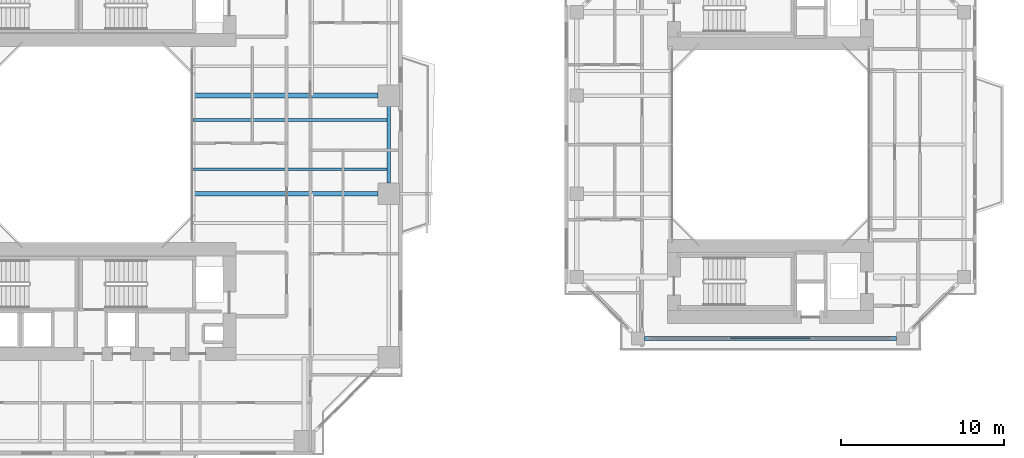
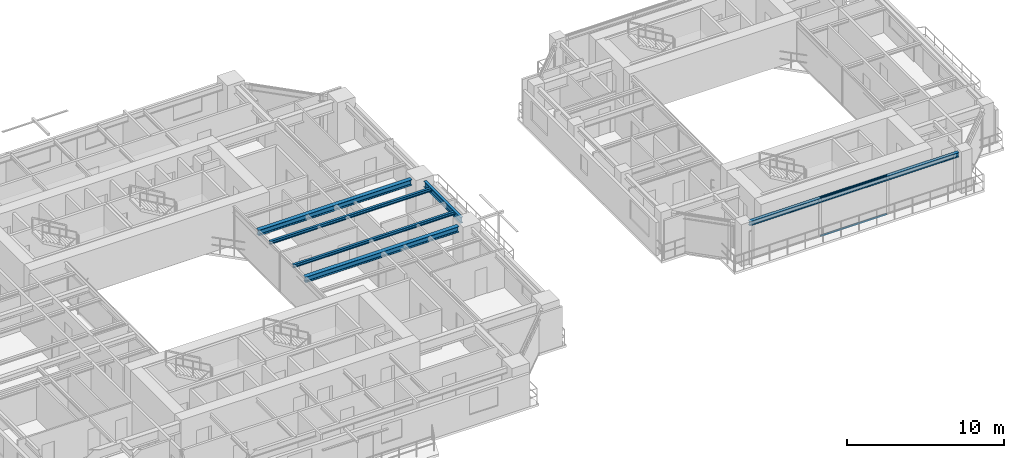
# One storey, part 6 of 23: 6 beams, 2 members, 1 element without a shape of its own.
"""IFC4 building model written with IfcOpenShell, lengths in metres."""

from ifc_helpers import new_model, si_unit, direction, frame, origin, origin_2d, place, context, subcontext, project, spatial, rectangle, i_section, extrude, source, transform, mapped, material, layer, layer_set, material_profile, profile_set, type_object, element, aggregate, save


model = new_model("IFC4")

# Units and contexts
model_context = context("Model", 3, precision=1e-05, world=origin(), true_north=direction((0.0, 1.0)))
body_context = subcontext(model_context, "Body", "Model", "MODEL_VIEW")
ifc_project = project(units=[si_unit("LENGTHUNIT", "METRE"), si_unit("AREAUNIT", "SQUARE_METRE"), si_unit("VOLUMEUNIT", "CUBIC_METRE"), si_unit("PLANEANGLEUNIT", "RADIAN"), si_unit("MASSUNIT", "GRAM", prefix="KILO"), si_unit("THERMODYNAMICTEMPERATUREUNIT", "KELVIN"), si_unit("POWERUNIT", "WATT")], contexts=[model_context])

# Site, building, storey
site_placement = place(None, origin())
site = spatial("IfcSite", under=ifc_project, at=site_placement, CompositionType="ELEMENT")
building_placement = place(site_placement, origin())
building = spatial("IfcBuilding", under=site, at=building_placement, Name="Qiaomeng Ring Towers", CompositionType="ELEMENT")
storey_placement = place(building_placement, frame((0.0, 0.0, 89.25)))
storey = spatial("IfcBuildingStorey", under=building, at=storey_placement, Name="L25", CompositionType="ELEMENT", Elevation=89.25)

# Beams
ifc_material_1 = material(Name="Steel Q355B", Category="steel")
ifc_material_profile_1 = material_profile(ifc_material_1, i_section(OverallWidth=0.199951171875, OverallDepth=0.449951171875, WebThickness=0.009033203125, FlangeThickness=0.013916015625, FilletRadius=0.01806640625, at=origin_2d()), Name="HN 450x200x9x14")
ifc_profile_set_1 = profile_set([ifc_material_profile_1], Name="Steel Q355B")
beam_type_1 = type_object("IfcBeamType", Name="STR-BM-HN450", PredefinedType="SPANDREL", material=ifc_profile_set_1)
shared_shape_1 = source(origin(), body_context, "Body", "SweptSolid", [
    extrude(i_section(OverallWidth=0.199951171875, OverallDepth=0.449951171875, WebThickness=0.009033203125, FlangeThickness=0.013916015625, FilletRadius=0.01806640625, at=origin_2d()), origin(), (0.0, 0.0, 1.0), 4.7021484375),
])
beam_1_placement = place(storey_placement, frame((37.14990234375, 20.64892578125, 2.804931640625), z_axis=(0.0, 1.0, 0.0), x_axis=(-1.0, 0.0, 0.0)))
element("IfcBeam", 1, at=beam_1_placement, inside=storey, type_object=beam_type_1, Name="L25 beam STR-SP-L25-T1-E2-E3", PredefinedType="SPANDREL", context=body_context, shape_type="MappedRepresentation", body=[
    mapped(shared_shape_1, transform((0.0, 0.0, 0.0), x_axis=(1.0, 0.0, 0.0), y_axis=(0.0, 1.0, 0.0), z_axis=(0.0, 0.0, 1.0), scale=1.0)),
])
ifc_material_profile_2 = material_profile(ifc_material_1, i_section(OverallWidth=0.300048828125, OverallDepth=0.43994140625, WebThickness=0.010986328125, FlangeThickness=0.01806640625, FilletRadius=0.02392578125, at=origin_2d()), Name="HM 440x300x11x18")
ifc_profile_set_2 = profile_set([ifc_material_profile_2], Name="Steel Q355B")
beam_type_2 = type_object("IfcBeamType", Name="STR-BM-HM440", PredefinedType="BEAM", material=ifc_profile_set_2)
shared_shape_2 = source(origin(), body_context, "Body", "SweptSolid", [
    extrude(i_section(OverallWidth=0.300048828125, OverallDepth=0.43994140625, WebThickness=0.010986328125, FlangeThickness=0.01806640625, FilletRadius=0.02392578125, at=origin_2d()), origin(), (0.0, 0.0, 1.0), 11.301025390625),
])
for number, where, z_axis, x_axis, name in (
    (2, (25.199951171875, 20.0, 2.81005859375), (1.0, 0.0, 0.0), (0.0, 1.0, 0.0), "L25 beam STR-BM-L25-T1-RAD-E2"),
    (3, (25.199951171875, 26.0, 2.81005859375), (1.0, 0.0, 0.0), (0.0, 1.0, 0.0), "L25 beam STR-BM-L25-T1-RAD-E3"),
):
    element("IfcBeam", number, at=place(storey_placement, frame(where, z_axis=z_axis, x_axis=x_axis)), inside=storey, type_object=beam_type_2, Name=name, PredefinedType="BEAM", context=body_context, shape_type="MappedRepresentation", body=[
        mapped(shared_shape_2, transform((0.0, 0.0, 0.0), x_axis=(1.0, 0.0, 0.0), y_axis=(0.0, 1.0, 0.0), z_axis=(0.0, 0.0, 1.0), scale=1.0)),
    ])
ifc_material_profile_3 = material_profile(ifc_material_1, i_section(OverallWidth=0.175048828125, OverallDepth=0.243896484375, WebThickness=0.007080078125, FlangeThickness=0.010986328125, FilletRadius=0.01611328125, at=origin_2d()), Name="HM 244x175x7x11")
ifc_profile_set_3 = profile_set([ifc_material_profile_3], Name="Steel Q355B")
beam_type_3 = type_object("IfcBeamType", Name="STR-BM-HM244", PredefinedType="JOIST", material=ifc_profile_set_3)
shared_shape_3 = source(origin(), body_context, "Body", "SweptSolid", [
    extrude(i_section(OverallWidth=0.175048828125, OverallDepth=0.243896484375, WebThickness=0.007080078125, FlangeThickness=0.010986328125, FilletRadius=0.01611328125, at=origin_2d()), origin(), (0.0, 0.0, 1.0), 11.949951171875),
])
for number, where, z_axis, x_axis, name in (
    (4, (25.199951171875, 21.5, 2.907958984375), (1.0, 0.0, 0.0), (0.0, 1.0, 0.0), "L25 beam STR-JST-L25-T1E-2"),
    (5, (25.199951171875, 24.5, 2.907958984375), (1.0, 0.0, 0.0), (0.0, 1.0, 0.0), "L25 beam STR-JST-L25-T1E-3"),
):
    element("IfcBeam", number, at=place(storey_placement, frame(where, z_axis=z_axis, x_axis=x_axis)), inside=storey, type_object=beam_type_3, Name=name, PredefinedType="JOIST", context=body_context, shape_type="MappedRepresentation", body=[
        mapped(shared_shape_3, transform((0.0, 0.0, 0.0), x_axis=(1.0, 0.0, 0.0), y_axis=(0.0, 1.0, 0.0), z_axis=(0.0, 0.0, 1.0), scale=1.0)),
    ])
ifc_material_profile_4 = material_profile(ifc_material_1, i_section(OverallWidth=0.25, OverallDepth=0.340087890625, WebThickness=0.009033203125, FlangeThickness=0.013916015625, FilletRadius=0.02001953125, at=origin_2d()), Name="HM 340x250x9x14")
ifc_profile_set_4 = profile_set([ifc_material_profile_4], Name="Steel Q355B")
beam_type_4 = type_object("IfcBeamType", Name="STR-BM-HM340", PredefinedType="SPANDREL", material=ifc_profile_set_4)
shared_shape_4 = source(origin(), body_context, "Body", "SweptSolid", [
    extrude(i_section(OverallWidth=0.25, OverallDepth=0.340087890625, WebThickness=0.009033203125, FlangeThickness=0.013916015625, FilletRadius=0.02001953125, at=origin_2d()), origin(), (0.0, 0.0, 1.0), 15.40185546875),
])
beam_2_placement = place(storey_placement, frame((52.799072265625, 11.14990234375, 2.860107421875), z_axis=(1.0, 0.0, 0.0), x_axis=(0.0, 1.0, 0.0)))
element("IfcBeam", 6, at=beam_2_placement, inside=storey, type_object=beam_type_4, Name="L25 beam STR-SP-L25-T2-S1-S2", PredefinedType="SPANDREL", context=body_context, shape_type="MappedRepresentation", body=[
    mapped(shared_shape_4, transform((0.0, 0.0, 0.0), x_axis=(1.0, 0.0, 0.0), y_axis=(0.0, 1.0, 0.0), z_axis=(0.0, 0.0, 1.0), scale=1.0)),
])

# Curtain wall, members
ifc_material_2 = material(Name="Fluorocarbon dark-grey aluminium", Category="aluminium")
ifc_layer = layer(ifc_material_2, 0.14990234375, Name="Fluorocarbon dark-grey aluminium")
ifc_layer_set = layer_set([ifc_layer], Name="Fluorocarbon dark-grey aluminium")
curtain_wall_type = type_object("IfcCurtainWallType", Name="ARC-CW-5", PredefinedType="NOTDEFINED", material=ifc_layer_set)
curtain_wall_placement = place(storey_placement, origin())
curtain_wall = element("IfcCurtainWall", 7, at=curtain_wall_placement, inside=storey, type_object=curtain_wall_type, Name="L25 Curtain Wall CW5", PredefinedType="NOTDEFINED")
ifc_material_profile_5 = material_profile(ifc_material_2, rectangle(XDim=0.06494140625, YDim=0.1298828125, at=origin_2d()), Name="ALU TRAN 65x130")
ifc_profile_set_5 = profile_set([ifc_material_profile_5], Name="Fluorocarbon dark-grey aluminium")
member_type = type_object("IfcMemberType", Name="ARC-CWT-120", PredefinedType="USERDEFINED", material=ifc_profile_set_5)
shared_shape_5 = source(origin(), body_context, "Body", "SweptSolid", [
    extrude(rectangle(XDim=0.06494140625, YDim=0.1298828125, at=origin_2d()), origin(), (0.0, 0.0, 1.0), 4.9033203125),
])
member_1_placement = place(storey_placement, frame((58.04833984375, 11.14990234375, 0.032470703125), z_axis=(1.0, 0.0, 0.0), x_axis=(0.0, 1.0, 0.0)))
member_1 = element("IfcMember", 8, at=member_1_placement, type_object=member_type, Name="CW5 transom 2.1", ObjectType="TRANSOM", PredefinedType="USERDEFINED", context=body_context, shape_type="MappedRepresentation", body=[
    mapped(shared_shape_5, transform((0.0, 0.0, 0.0), x_axis=(1.0, 0.0, 0.0), y_axis=(0.0, 1.0, 0.0), z_axis=(0.0, 0.0, 1.0), scale=1.0)),
])
member_2_placement = place(storey_placement, frame((58.04833984375, 11.14990234375, 2.99755859375), z_axis=(1.0, 0.0, 0.0), x_axis=(0.0, 1.0, 0.0)))
member_2 = element("IfcMember", 9, at=member_2_placement, type_object=member_type, Name="CW5 transom 2.2", ObjectType="TRANSOM", PredefinedType="USERDEFINED", context=body_context, shape_type="MappedRepresentation", body=[
    mapped(shared_shape_5, transform((0.0, 0.0, 0.0), x_axis=(1.0, 0.0, 0.0), y_axis=(0.0, 1.0, 0.0), z_axis=(0.0, 0.0, 1.0), scale=1.0)),
])
aggregate(curtain_wall, [member_1, member_2])

save(model, "model.ifc")
